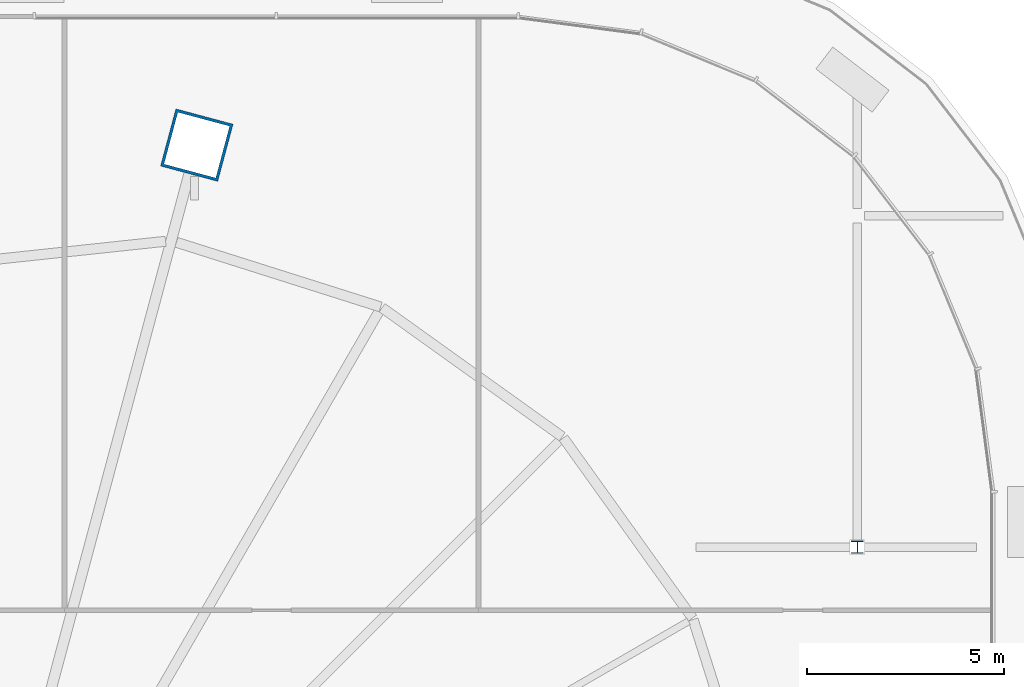
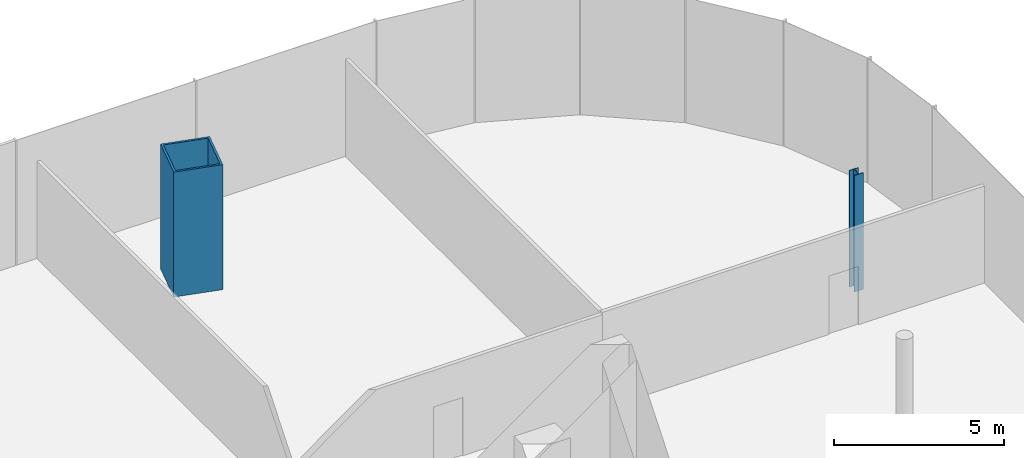
# One storey, part 8 of 49: 2 columns.
"""IFC4 building model written with IfcOpenShell, lengths in metres."""

from ifc_helpers import new_model, si_unit, direction, frame, origin, origin_2d, place, context, subcontext, project, spatial, hollow_rectangle, i_section, extrude, material, material_profile, profile_set, type_object, element, save


model = new_model("IFC4")

# Units and contexts
model_context = context("Model", 3, precision=1e-05, world=origin(), true_north=direction((0.0, 1.0)))
body_context = subcontext(model_context, "Body", "Model", "MODEL_VIEW")
ifc_project = project(units=[si_unit("LENGTHUNIT", "METRE"), si_unit("AREAUNIT", "SQUARE_METRE"), si_unit("VOLUMEUNIT", "CUBIC_METRE"), si_unit("PLANEANGLEUNIT", "RADIAN"), si_unit("MASSUNIT", "GRAM", prefix="KILO")], contexts=[model_context])

# Site, building, storey
site_placement = place(None, origin())
site = spatial("IfcSite", under=ifc_project, at=site_placement, CompositionType="ELEMENT")
building_placement = place(site_placement, origin())
building = spatial("IfcBuilding", under=site, at=building_placement, Name="Rimbun Link Towers", CompositionType="ELEMENT")
storey_placement = place(building_placement, frame((0.0, 0.0, 25.5)))
storey = spatial("IfcBuildingStorey", under=building, at=storey_placement, Name="L05", CompositionType="ELEMENT", Elevation=25.5)

# Columns
ifc_material_1 = material(Name="Steel S460N", Category="steel")
ifc_material_profile_1 = material_profile(ifc_material_1, hollow_rectangle(XDim=1.5, YDim=1.5, WallThickness=0.070068359375, at=origin_2d()), Name="BOX 1500x1500x70")
ifc_profile_set_1 = profile_set([ifc_material_profile_1], Name="Steel S460N")
column_type_1 = type_object("IfcColumnType", Name="BOX 1500x1500x70", PredefinedType="COLUMN", material=ifc_profile_set_1)
column_1_placement = place(storey_placement, frame((37.856689453125, 22.790283203125, 0.0), z_axis=(0.0, 0.0, 1.0), x_axis=(0.258819045103, 0.965925826289, 0.0)))
element("IfcColumn", 1, at=column_1_placement, inside=storey, type_object=column_type_1, Name="Mega column T2 L05 02", PredefinedType="COLUMN", context=body_context, shape_type="SweptSolid", body=[
    extrude(hollow_rectangle(XDim=1.5, YDim=1.5, WallThickness=0.070068359375, at=origin_2d()), origin(), (0.0, 0.0, 1.0), 4.5),
])
ifc_material_2 = material(Name="Steel S355J2", Category="steel")
ifc_material_profile_2 = material_profile(ifc_material_2, i_section(OverallWidth=0.307373046875, OverallDepth=0.314453125, WebThickness=0.011962890625, FlangeThickness=0.018798828125, at=origin_2d()), Name="UC 305x305x118")
ifc_profile_set_2 = profile_set([ifc_material_profile_2], Name="Steel S355J2")
column_type_2 = type_object("IfcColumnType", Name="UC 305x305x118", PredefinedType="COLUMN", material=ifc_profile_set_2)
column_2_placement = place(storey_placement, frame((54.60009765625, 12.60009765625, 0.0), z_axis=(0.0, 0.0, 1.0), x_axis=(1.0, 0.0, 0.0)))
element("IfcColumn", 2, at=column_2_placement, inside=storey, type_object=column_type_2, Name="Column L05 +54.6 +12.6", PredefinedType="COLUMN", context=body_context, shape_type="SweptSolid", body=[
    extrude(i_section(OverallWidth=0.307373046875, OverallDepth=0.314453125, WebThickness=0.011962890625, FlangeThickness=0.018798828125, at=origin_2d()), origin(), (0.0, 0.0, 1.0), 4.199951171875),
])

save(model, "model.ifc")
